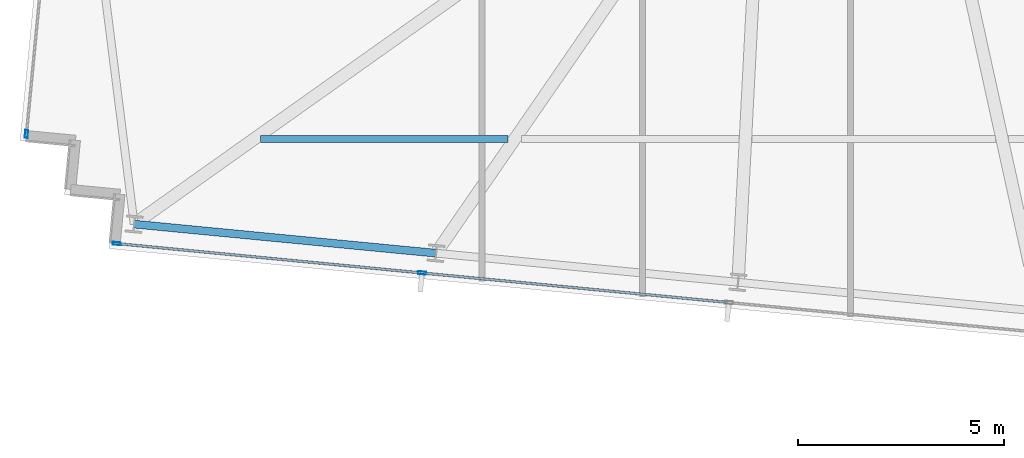
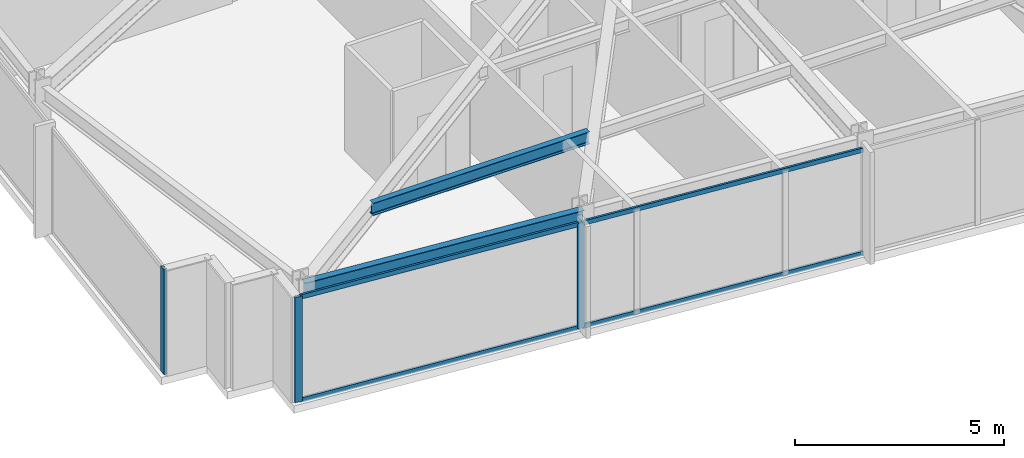
# One storey, part 2 of 37: 7 members, 2 beams, 2 elements without a shape of their own.
"""IFC4 building model written with IfcOpenShell, lengths in metres."""

from ifc_helpers import new_model, si_unit, direction, frame, origin, origin_2d, place, context, subcontext, project, spatial, hollow_rectangle, i_section, extrude, material, material_profile, profile_set, type_object, element, aggregate, save


model = new_model("IFC4")

# Units and contexts
model_context = context("Model", 3, precision=1e-05, world=origin(), true_north=direction((0.0, 1.0)))
body_context = subcontext(model_context, "Body", "Model", "MODEL_VIEW")
ifc_project = project(units=[si_unit("LENGTHUNIT", "METRE"), si_unit("AREAUNIT", "SQUARE_METRE"), si_unit("VOLUMEUNIT", "CUBIC_METRE"), si_unit("PLANEANGLEUNIT", "RADIAN"), si_unit("MASSUNIT", "GRAM", prefix="KILO")], contexts=[model_context])

# Site, building, storey
site_placement = place(None, origin())
site = spatial("IfcSite", under=ifc_project, at=site_placement, CompositionType="ELEMENT")
building_placement = place(site_placement, origin())
building = spatial("IfcBuilding", under=site, at=building_placement, Name="Yelkora Congress Tower", CompositionType="ELEMENT")
storey_placement = place(building_placement, frame((0.0, 0.0, 182.0)))
storey = spatial("IfcBuildingStorey", under=building, at=storey_placement, Name="L50", CompositionType="ELEMENT", Elevation=182.0)

# Beams
ifc_material_1 = material(Name="Steel S355J2", Category="steel")
ifc_material_profile_1 = material_profile(ifc_material_1, i_section(OverallWidth=0.169921875, OverallDepth=0.360107421875, WebThickness=0.008056640625, FlangeThickness=0.0126953125, FilletRadius=0.01806640625, at=origin_2d()), Name="IPE 360")
ifc_profile_set_1 = profile_set([ifc_material_profile_1], Name="Steel S355J2")
beam_type_1 = type_object("IfcBeamType", Name="BM-JOIST-IPE360", PredefinedType="JOIST", material=ifc_profile_set_1)
beam_1_placement = place(storey_placement, frame((6.98779296875, 16.421142578125, 2.89990234375), z_axis=(1.0, 0.0, 0.0), x_axis=(0.0, 1.0, 0.0)))
element("IfcBeam", 1, at=beam_1_placement, inside=storey, type_object=beam_type_1, Name="L50 Composite Floor Joist 5", PredefinedType="JOIST", context=body_context, shape_type="SweptSolid", body=[
    extrude(i_section(OverallWidth=0.169921875, OverallDepth=0.360107421875, WebThickness=0.008056640625, FlangeThickness=0.0126953125, FilletRadius=0.01806640625, at=origin_2d()), origin(), (0.0, 0.0, 1.0), 6.002685546875),
])
ifc_material_profile_2 = material_profile(ifc_material_1, i_section(OverallWidth=0.18994140625, OverallDepth=0.449951171875, WebThickness=0.009521484375, FlangeThickness=0.0146484375, FilletRadius=0.02099609375, at=origin_2d()), Name="IPE 450")
ifc_profile_set_2 = profile_set([ifc_material_profile_2], Name="Steel S355J2")
beam_type_2 = type_object("IfcBeamType", Name="BM-SPAN-IPE450", PredefinedType="SPANDREL", material=ifc_profile_set_2)
beam_2_placement = place(storey_placement, frame((3.919189453125, 14.357421875, 2.85498046875), z_axis=(0.995393938538, -0.095869218844, 0.0), x_axis=(0.095869218844, 0.995393938538, 0.0)))
element("IfcBeam", 2, at=beam_2_placement, inside=storey, type_object=beam_type_2, Name="L50 Perimeter Beam 2", PredefinedType="SPANDREL", context=body_context, shape_type="SweptSolid", body=[
    extrude(i_section(OverallWidth=0.18994140625, OverallDepth=0.449951171875, WebThickness=0.009521484375, FlangeThickness=0.0146484375, FilletRadius=0.02099609375, at=origin_2d()), origin(), (0.0, 0.0, 1.0), 7.357177734375),
])

# Curtain wall, member
ifc_material_2 = material(Name="Anodised aluminium and insulated glass", Category="aluminium")
curtain_wall_type = type_object("IfcCurtainWallType", Name="CW-SYS-B3", PredefinedType="NOTDEFINED", material=ifc_material_2)
curtain_wall_1_placement = place(storey_placement, origin())
curtain_wall_1 = element("IfcCurtainWall", 3, at=curtain_wall_1_placement, inside=storey, type_object=curtain_wall_type, Name="L50 Unitised Curtain Wall 5", PredefinedType="NOTDEFINED")
ifc_material_3 = material(Name="Anodised aluminium 6063-T6", Category="aluminium")
ifc_material_profile_3 = material_profile(ifc_material_3, hollow_rectangle(XDim=0.070068359375, YDim=0.18994140625, WallThickness=0.00390625, at=origin_2d()), Name="ALU 70x190x4")
ifc_profile_set_3 = profile_set([ifc_material_profile_3], Name="Anodised aluminium 6063-T6")
member_type_1 = type_object("IfcMemberType", Name="MEM-ML-B3", PredefinedType="MULLION", material=ifc_profile_set_3)
member_1_placement = place(storey_placement, frame((1.306640625, 16.542724609375, 0.0), z_axis=(0.0, 0.0, 1.0), x_axis=(-0.995396242473, 0.095845294465, 0.0)))
member_1 = element("IfcMember", 4, at=member_1_placement, type_object=member_type_1, Name="CW-B3 mullion 1", PredefinedType="MULLION", context=body_context, shape_type="SweptSolid", body=[
    extrude(hollow_rectangle(XDim=0.070068359375, YDim=0.18994140625, WallThickness=0.00390625, at=origin_2d()), origin(), (0.0, 0.0, 1.0), 3.080078125),
])
aggregate(curtain_wall_1, [member_1])

# Curtain wall, members
curtain_wall_2_placement = place(storey_placement, origin())
curtain_wall_2 = element("IfcCurtainWall", 5, at=curtain_wall_2_placement, inside=storey, type_object=curtain_wall_type, Name="L50 Unitised Curtain Wall 20", PredefinedType="NOTDEFINED")
member_2_placement = place(storey_placement, frame((10.902099609375, 13.172607421875, 0.0), z_axis=(0.0, 0.0, 1.0), x_axis=(-0.095844680679, -0.995396301573, 0.0)))
member_2 = element("IfcMember", 6, at=member_2_placement, type_object=member_type_1, Name="CW-B3 mullion 7", PredefinedType="MULLION", context=body_context, shape_type="SweptSolid", body=[
    extrude(hollow_rectangle(XDim=0.070068359375, YDim=0.18994140625, WallThickness=0.00390625, at=origin_2d()), origin(), (0.0, 0.0, 1.0), 3.080078125),
])
member_3_placement = place(storey_placement, frame((3.4970703125, 13.885498046875, 0.0), z_axis=(0.0, 0.0, 1.0), x_axis=(-0.095844680679, -0.995396301573, 0.0)))
member_3 = element("IfcMember", 7, at=member_3_placement, type_object=member_type_1, Name="CW-B3 mullion 8", PredefinedType="MULLION", context=body_context, shape_type="SweptSolid", body=[
    extrude(hollow_rectangle(XDim=0.070068359375, YDim=0.18994140625, WallThickness=0.00390625, at=origin_2d()), origin(), (0.0, 0.0, 1.0), 3.080078125),
])
ifc_material_profile_4 = material_profile(ifc_material_3, hollow_rectangle(XDim=0.06005859375, YDim=0.1298828125, WallThickness=0.00390625, at=origin_2d()), Name="ALU 60x130x4")
ifc_profile_set_4 = profile_set([ifc_material_profile_4], Name="Anodised aluminium 6063-T6")
member_type_2 = type_object("IfcMemberType", Name="MEM-TR-B3", PredefinedType="USERDEFINED", material=ifc_profile_set_4)
member_4_placement = place(storey_placement, frame((18.30712890625, 12.45947265625, 0.030029296875), z_axis=(-0.99539548672, 0.095853142967, 0.0), x_axis=(-0.095853142967, -0.99539548672, 0.0)))
member_4 = element("IfcMember", 8, at=member_4_placement, type_object=member_type_2, Name="CW-B3 transom 6.1", ObjectType="TRANSOM", PredefinedType="USERDEFINED", context=body_context, shape_type="SweptSolid", body=[
    extrude(hollow_rectangle(XDim=0.06005859375, YDim=0.1298828125, WallThickness=0.00390625, at=origin_2d()), origin(), (0.0, 0.0, 1.0), 7.404296875),
])
member_5_placement = place(storey_placement, frame((18.30712890625, 12.45947265625, 3.050048828125), z_axis=(-0.99539548672, 0.095853142967, 0.0), x_axis=(-0.095853142967, -0.99539548672, 0.0)))
member_5 = element("IfcMember", 9, at=member_5_placement, type_object=member_type_2, Name="CW-B3 transom 6.2", ObjectType="TRANSOM", PredefinedType="USERDEFINED", context=body_context, shape_type="SweptSolid", body=[
    extrude(hollow_rectangle(XDim=0.06005859375, YDim=0.1298828125, WallThickness=0.00390625, at=origin_2d()), origin(), (0.0, 0.0, 1.0), 7.404296875),
])
member_6_placement = place(storey_placement, frame((10.8671875, 13.17578125, 0.030029296875), z_axis=(-0.995396212442, 0.095845606344, 0.0), x_axis=(-0.095845606344, -0.995396212442, 0.0)))
member_6 = element("IfcMember", 10, at=member_6_placement, type_object=member_type_2, Name="CW-B3 transom 7.1", ObjectType="TRANSOM", PredefinedType="USERDEFINED", context=body_context, shape_type="SweptSolid", body=[
    extrude(hollow_rectangle(XDim=0.06005859375, YDim=0.1298828125, WallThickness=0.00390625, at=origin_2d()), origin(), (0.0, 0.0, 1.0), 7.369140625),
])
member_7_placement = place(storey_placement, frame((10.8671875, 13.17578125, 3.050048828125), z_axis=(-0.995396212442, 0.095845606344, 0.0), x_axis=(-0.095845606344, -0.995396212442, 0.0)))
member_7 = element("IfcMember", 11, at=member_7_placement, type_object=member_type_2, Name="CW-B3 transom 7.2", ObjectType="TRANSOM", PredefinedType="USERDEFINED", context=body_context, shape_type="SweptSolid", body=[
    extrude(hollow_rectangle(XDim=0.06005859375, YDim=0.1298828125, WallThickness=0.00390625, at=origin_2d()), origin(), (0.0, 0.0, 1.0), 7.369140625),
])
aggregate(curtain_wall_2, [member_2, member_3, member_4, member_5, member_6, member_7])

save(model, "model.ifc")
